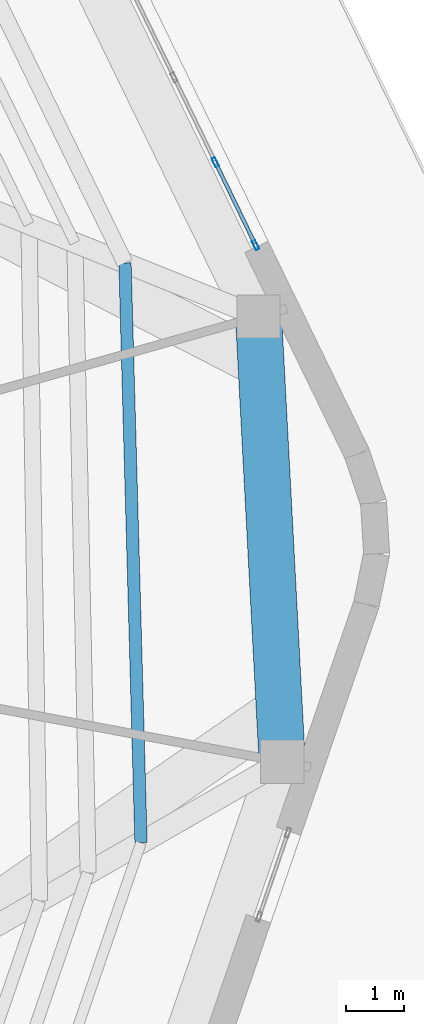
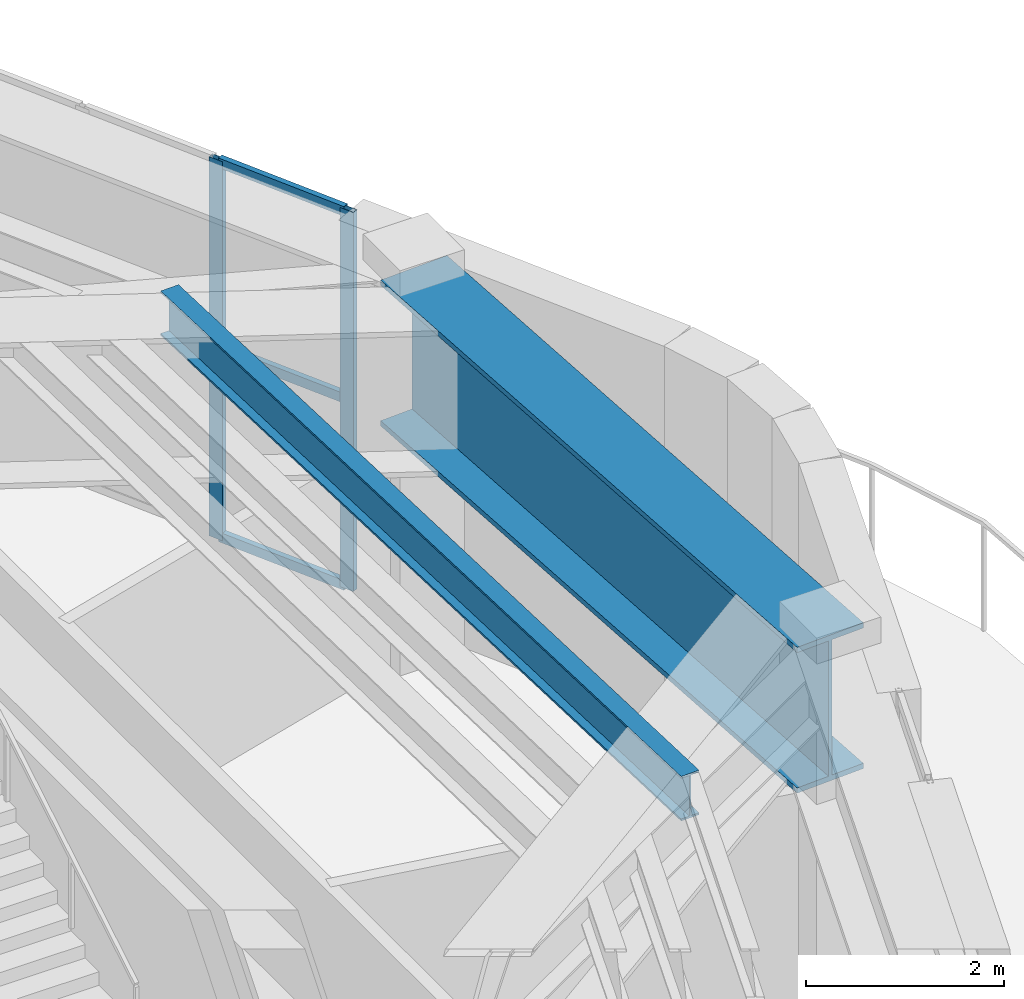
# One storey, part 13 of 24: 5 members, 2 beams, 1 element without a shape of its own.
"""IFC4 building model written with IfcOpenShell, lengths in metres."""

from ifc_helpers import new_model, si_unit, direction, frame, origin, origin_2d, place, context, subcontext, project, spatial, hollow_rectangle, i_section, extrude, material, layer, layer_set, material_profile, profile_set, type_object, element, aggregate, save


model = new_model("IFC4")

# Units and contexts
model_context = context("Model", 3, precision=1e-05, world=origin(), true_north=direction((0.0, 1.0)))
body_context = subcontext(model_context, "Body", "Model", "MODEL_VIEW")
ifc_project = project(units=[si_unit("LENGTHUNIT", "METRE"), si_unit("AREAUNIT", "SQUARE_METRE"), si_unit("VOLUMEUNIT", "CUBIC_METRE"), si_unit("PLANEANGLEUNIT", "RADIAN"), si_unit("MASSUNIT", "GRAM", prefix="KILO")], contexts=[model_context])

# Site, building, storey
site_placement = place(None, origin())
site = spatial("IfcSite", under=ifc_project, at=site_placement, CompositionType="ELEMENT")
building_placement = place(site_placement, origin())
building = spatial("IfcBuilding", under=site, at=building_placement, Name="Kilnhurst Terrace Hotel", CompositionType="ELEMENT")
storey_placement = place(building_placement, frame((0.0, 0.0, 305.39990234375)))
storey = spatial("IfcBuildingStorey", under=building, at=storey_placement, Name="L76", CompositionType="ELEMENT", Elevation=305.39990234375)

# Beam
ifc_material_1 = material(Name="Steel ASTM A992 Grade 50", Category="steel")
ifc_material_profile_1 = material_profile(ifc_material_1, i_section(OverallWidth=0.2138671875, OverallDepth=0.549072265625, WebThickness=0.0146484375, FlangeThickness=0.023681640625, at=origin_2d()), Name="W21X93")
ifc_profile_set_1 = profile_set([ifc_material_profile_1], Name="Steel ASTM A992 Grade 50")
beam_type_1 = type_object("IfcBeamType", Name="JST-STL-W21X93", PredefinedType="JOIST", material=ifc_profile_set_1)
beam_1_placement = place(storey_placement, frame((14.19580078125, -4.52099609375, 4.405029296875), z_axis=(-0.027670641131, 0.999617094501, 0.0), x_axis=(-0.999617094501, -0.027670641131, 0.0)))
element("IfcBeam", 1, at=beam_1_placement, inside=storey, type_object=beam_type_1, Name="L76 Secondary Floor Steel Joist OUT.4", PredefinedType="JOIST", context=body_context, shape_type="SweptSolid", body=[
    extrude(i_section(OverallWidth=0.2138671875, OverallDepth=0.549072265625, WebThickness=0.0146484375, FlangeThickness=0.023681640625, at=origin_2d()), origin(), (0.0, 0.0, 1.0), 10.049560546875),
])

# Curtain wall, members
ifc_material_2 = material(Name="Anodized Aluminium Alloy 6063-T6 and Low-E Glass", Category="aluminium")
ifc_layer = layer(ifc_material_2, 0.219970703125, Name="Anodized Aluminium Alloy 6063-T6 and Low-E Glass")
ifc_layer_set = layer_set([ifc_layer], Name="Anodized Aluminium Alloy 6063-T6 and Low-E Glass")
curtain_wall_type = type_object("IfcCurtainWallType", Name="CW-OBS-CROWN", PredefinedType="NOTDEFINED", material=ifc_layer_set)
curtain_wall_placement = place(storey_placement, origin())
curtain_wall = element("IfcCurtainWall", 2, at=curtain_wall_placement, inside=storey, type_object=curtain_wall_type, Name="L76 Curtain Wall CW-L76-F3-1", PredefinedType="NOTDEFINED")
ifc_material_3 = material(Name="Extruded Aluminium Alloy 6063-T6", Category="aluminium")
ifc_material_profile_2 = material_profile(ifc_material_3, hollow_rectangle(XDim=0.06494140625, YDim=0.1650390625, WallThickness=0.00341796875, at=origin_2d()), Name="CWM65X165")
ifc_profile_set_2 = profile_set([ifc_material_profile_2], Name="Extruded Aluminium Alloy 6063-T6")
member_type_1 = type_object("IfcMemberType", Name="MEM-CWM65X165", PredefinedType="MULLION", material=ifc_profile_set_2)
member_1_placement = place(storey_placement, frame((16.18212890625, 5.829833984375, 0.0), z_axis=(0.0, 0.0, 1.0), x_axis=(-0.899435709395, -0.437053091357, 0.0)))
member_1 = element("IfcMember", 3, at=member_1_placement, type_object=member_type_1, Name="CWO-6 mullion 1", PredefinedType="MULLION", context=body_context, shape_type="SweptSolid", body=[
    extrude(hollow_rectangle(XDim=0.06494140625, YDim=0.1650390625, WallThickness=0.00341796875, at=origin_2d()), origin(), (0.0, 0.0, 1.0), 4.68017578125),
])
member_2_placement = place(storey_placement, frame((15.483154296875, 7.267822265625, 0.0), z_axis=(0.0, 0.0, 1.0), x_axis=(-0.899435709395, -0.437053091357, 0.0)))
member_2 = element("IfcMember", 4, at=member_2_placement, type_object=member_type_1, Name="CWO-6 mullion 2", PredefinedType="MULLION", context=body_context, shape_type="SweptSolid", body=[
    extrude(hollow_rectangle(XDim=0.06494140625, YDim=0.1650390625, WallThickness=0.00341796875, at=origin_2d()), origin(), (0.0, 0.0, 1.0), 4.68017578125),
])
ifc_material_profile_3 = material_profile(ifc_material_3, hollow_rectangle(XDim=0.06494140625, YDim=0.1201171875, WallThickness=0.00341796875, at=origin_2d()), Name="CWT65X120")
ifc_profile_set_3 = profile_set([ifc_material_profile_3], Name="Extruded Aluminium Alloy 6063-T6")
member_type_2 = type_object("IfcMemberType", Name="MEM-CWT65X120", PredefinedType="USERDEFINED", material=ifc_profile_set_3)
member_3_placement = place(storey_placement, frame((16.16796875, 5.85888671875, 0.03271484375), z_axis=(-0.436999612703, 0.899461693735, 0.0), x_axis=(-0.899461693735, -0.436999612703, 0.0)))
member_3 = element("IfcMember", 5, at=member_3_placement, type_object=member_type_2, Name="CWO-6 transom 1.1", ObjectType="TRANSOM", PredefinedType="USERDEFINED", context=body_context, shape_type="SweptSolid", body=[
    extrude(hollow_rectangle(XDim=0.06494140625, YDim=0.1201171875, WallThickness=0.00341796875, at=origin_2d()), origin(), (0.0, 0.0, 1.0), 1.5341796875),
])
member_4_placement = place(storey_placement, frame((16.16796875, 5.85888671875, 2.340087890625), z_axis=(-0.436999612703, 0.899461693735, 0.0), x_axis=(-0.899461693735, -0.436999612703, 0.0)))
member_4 = element("IfcMember", 6, at=member_4_placement, type_object=member_type_2, Name="CWO-6 transom 1.2", ObjectType="TRANSOM", PredefinedType="USERDEFINED", context=body_context, shape_type="SweptSolid", body=[
    extrude(hollow_rectangle(XDim=0.06494140625, YDim=0.1201171875, WallThickness=0.00341796875, at=origin_2d()), origin(), (0.0, 0.0, 1.0), 1.5341796875),
])
member_5_placement = place(storey_placement, frame((16.16796875, 5.85888671875, 4.647705078125), z_axis=(-0.436999612703, 0.899461693735, 0.0), x_axis=(-0.899461693735, -0.436999612703, 0.0)))
member_5 = element("IfcMember", 7, at=member_5_placement, type_object=member_type_2, Name="CWO-6 transom 1.3", ObjectType="TRANSOM", PredefinedType="USERDEFINED", context=body_context, shape_type="SweptSolid", body=[
    extrude(hollow_rectangle(XDim=0.06494140625, YDim=0.1201171875, WallThickness=0.00341796875, at=origin_2d()), origin(), (0.0, 0.0, 1.0), 1.5341796875),
])
aggregate(curtain_wall, [member_1, member_2, member_3, member_4, member_5])

# Beam
ifc_material_4 = material(Name="Steel ASTM A572 Grade 50", Category="steel")
ifc_material_profile_4 = material_profile(ifc_material_4, i_section(OverallWidth=0.800048828125, OverallDepth=1.800048828125, WebThickness=0.0400390625, FlangeThickness=0.06494140625, at=origin_2d()), Name="PG1800X800")
ifc_profile_set_4 = profile_set([ifc_material_profile_4], Name="Steel ASTM A572 Grade 50")
beam_type_2 = type_object("IfcBeamType", Name="TG-STEP-1800", PredefinedType="USERDEFINED", material=ifc_profile_set_4)
beam_2_placement = place(storey_placement, frame((16.64111328125, -3.118896484375, 3.780029296875), z_axis=(-0.052970219362, 0.998596092452, 0.0), x_axis=(-0.998596092452, -0.052970219362, 0.0)))
element("IfcBeam", 8, at=beam_2_placement, inside=storey, type_object=beam_type_2, Name="L76 Zone Step Perimeter Transfer Girder 4", ObjectType="GIRDER", PredefinedType="USERDEFINED", context=body_context, shape_type="SweptSolid", body=[
    extrude(i_section(OverallWidth=0.800048828125, OverallDepth=1.800048828125, WebThickness=0.0400390625, FlangeThickness=0.06494140625, at=origin_2d()), origin(), (0.0, 0.0, 1.0), 7.724609375),
])

save(model, "model.ifc")
